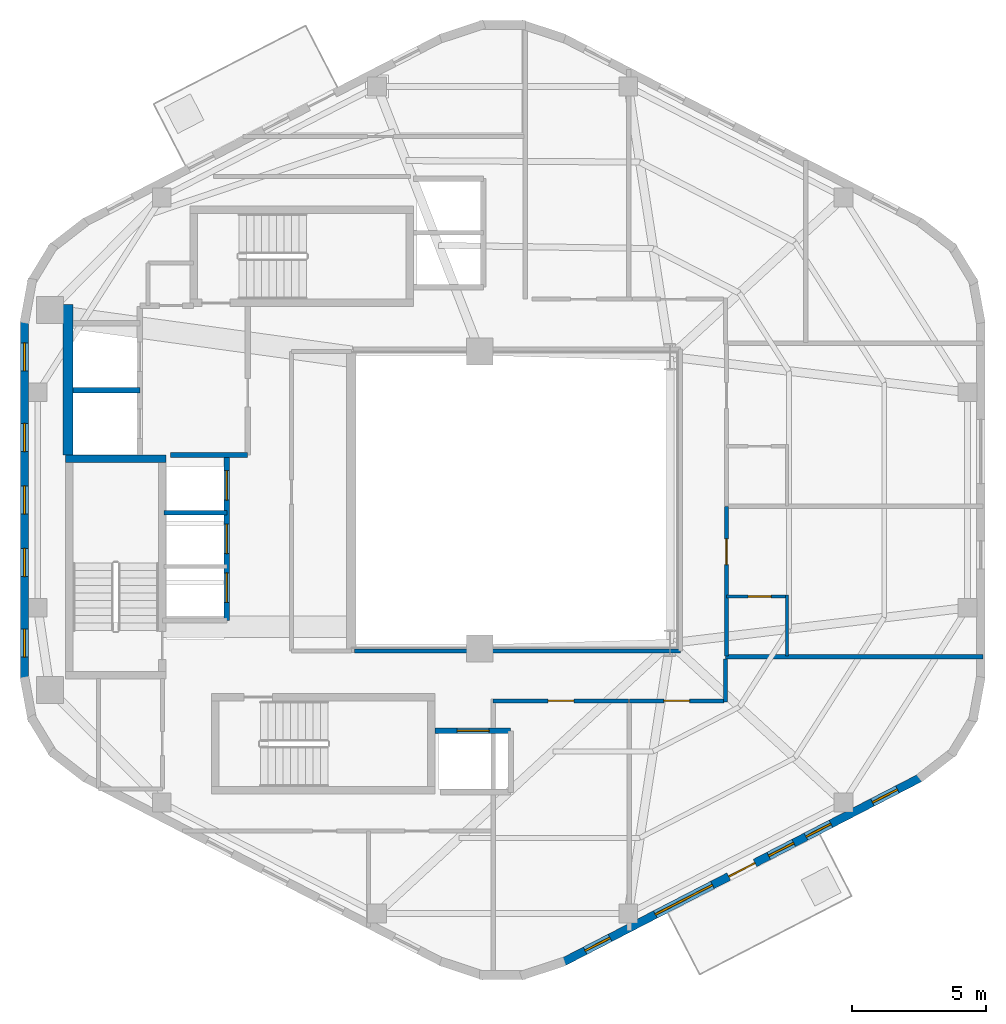
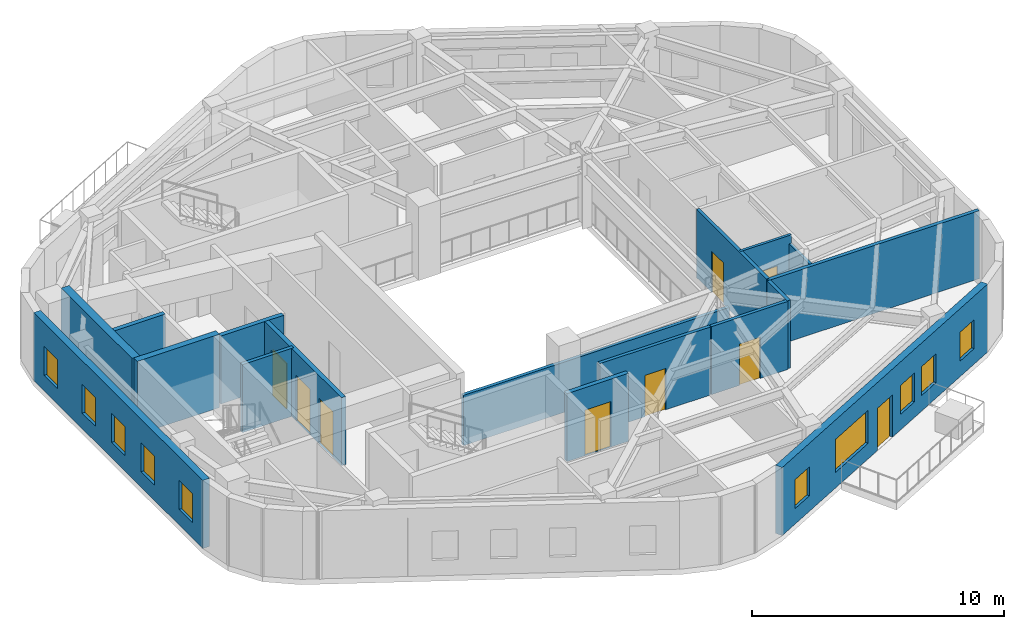
# One storey, part 3 of 7: 17 walls, 10 windows, 9 doors, 19 openings.
"""IFC4 building model written with IfcOpenShell, lengths in metres."""

from ifc_helpers import new_model, si_unit, direction, frame, frame_2d, origin, place, context, subcontext, project, spatial, rectangle, extrude, material, layer, layer_set, type_object, element, fill, save


model = new_model("IFC4")

# Units and contexts
model_context = context("Model", 3, precision=1e-05, world=origin(), true_north=direction((0.0, 1.0)))
body_context = subcontext(model_context, "Body", "Model", "MODEL_VIEW")
ifc_project = project(units=[si_unit("LENGTHUNIT", "METRE"), si_unit("AREAUNIT", "SQUARE_METRE"), si_unit("VOLUMEUNIT", "CUBIC_METRE"), si_unit("PLANEANGLEUNIT", "RADIAN"), si_unit("MASSUNIT", "GRAM", prefix="KILO"), si_unit("THERMODYNAMICTEMPERATUREUNIT", "KELVIN"), si_unit("POWERUNIT", "WATT")], contexts=[model_context])

# Site, building, storey
site_placement = place(None, origin())
site = spatial("IfcSite", under=ifc_project, at=site_placement, CompositionType="ELEMENT")
building_placement = place(site_placement, origin())
building = spatial("IfcBuilding", under=site, at=building_placement, Name="Skarre Station Tower", CompositionType="ELEMENT")
storey_placement = place(building_placement, frame((0.0, 0.0, 249.0)))
storey = spatial("IfcBuildingStorey", under=building, at=storey_placement, Name="L68", CompositionType="ELEMENT", Elevation=249.0)

# Wall
ifc_material_1 = material(Name="Acoustic Steel-Stud Gypsum Partition", Category="steel")
ifc_layer_1 = layer(ifc_material_1, 0.14990234375, Name="Acoustic Steel-Stud Gypsum Partition")
ifc_layer_set_1 = layer_set([ifc_layer_1], Name="Acoustic Steel-Stud Gypsum Partition")
wall_type_1 = type_object("IfcWallType", Name="Fire-Rated Corridor Acoustic Partition 150", PredefinedType="PARTITIONING", material=ifc_layer_set_1)
wall_1_placement = place(storey_placement, frame((27.675048828125, 18.360107421875, 0.0), z_axis=(0.0, 0.0, 1.0), x_axis=(1.0, 0.0, 0.0)))
element("IfcWall", 1, at=wall_1_placement, inside=storey, type_object=wall_type_1, Name="L68 Interior Partition WL-PT-L68-ATRW-S", PredefinedType="PARTITIONING", context=body_context, shape_type="SweptSolid", body=[
    extrude(rectangle(XDim=12.1650390625, YDim=0.14990234375, at=frame_2d((6.08251953125, 0.0))), origin(), (0.0, 0.0, 1.0), 2.430908203125),
])

# Wall, opening, door
wall_2_placement = place(storey_placement, frame((41.56005859375, 18.179931640625, 0.0), z_axis=(0.0, 0.0, 1.0), x_axis=(0.0, 1.0, 0.0)))
wall_2 = element("IfcWall", 2, at=wall_2_placement, inside=storey, type_object=wall_type_1, Name="L68 Interior Partition WL-PT-L68-EW1-CW", PredefinedType="PARTITIONING", context=body_context, shape_type="SweptSolid", body=[
    extrude(rectangle(XDim=5.569091796875, YDim=0.14990234375, at=frame_2d((2.78466796875, 0.0))), origin(), (0.0, 0.0, 1.0), 3.2900390625),
])
opening_1_placement = place(wall_2_placement, frame((3.405029296875, 0.0, 0.0)))
opening_1 = element("IfcOpeningElement", 3, at=opening_1_placement, cuts=wall_2, Name="Opening DR-FD60", PredefinedType="OPENING", context=body_context, shape_type="SweptSolid", body=[
    extrude(rectangle(XDim=0.9599609375, YDim=2.0, at=frame_2d((0.47998046875, 1.0))), frame((0.0, 0.0849609375, 0.0), z_axis=(0.0, -1.0, 0.0), x_axis=(1.0, 0.0, 0.0)), (0.0, 0.0, 1.0), 0.169921875),
])
ifc_material_2 = material(Name="Nordic White-Oak Veneer Solid-Core Fire Leaf", Category="wood")
door_type_1 = type_object("IfcDoorType", Name="Corridor Suite Entry Fire Door FD60 960x2150", OperationType="SINGLE_SWING_LEFT", PredefinedType="DOOR", material=ifc_material_2)
door_1_placement = place(opening_1_placement, origin())
door_1 = element("IfcDoor", 4, at=door_1_placement, inside=storey, type_object=door_type_1, Name="L68 EW1 Entry Door", OperationType="SINGLE_SWING_LEFT", OverallHeight=2.0, OverallWidth=0.9599609375, PredefinedType="DOOR", context=body_context, shape_type="SweptSolid", body=[
    extrude(rectangle(XDim=0.9599609375, YDim=2.0, at=frame_2d((0.47998046875, 1.0))), frame((0.0, 0.02490234375, 0.0), z_axis=(0.0, -1.0, 0.0), x_axis=(1.0, 0.0, 0.0)), (0.0, 0.0, 1.0), 0.050048828125),
])
fill(opening_1, door_1)

# Wall
wall_3_placement = place(storey_placement, frame((41.52001953125, 16.4599609375, 0.0), z_axis=(0.0, 0.0, 1.0), x_axis=(0.0, 1.0, 0.0)))
element("IfcWall", 5, at=wall_3_placement, inside=storey, type_object=wall_type_1, Name="L68 Interior Partition WL-PT-L68-CORR-SER", PredefinedType="PARTITIONING", context=body_context, shape_type="SweptSolid", body=[
    extrude(rectangle(XDim=1.60205078125, YDim=0.14990234375, at=frame_2d((0.801025390625, 0.0))), origin(), (0.0, 0.0, 1.0), 3.2900390625),
])

# Wall, opening, door
wall_4_placement = place(storey_placement, frame((32.85009765625, 16.5, 0.0), z_axis=(0.0, 0.0, 1.0), x_axis=(1.0, 0.0, 0.0)))
wall_4 = element("IfcWall", 6, at=wall_4_placement, inside=storey, type_object=wall_type_1, Name="L68 Interior Partition WL-PT-L68-SW1-CW", PredefinedType="PARTITIONING", context=body_context, shape_type="SweptSolid", body=[
    extrude(rectangle(XDim=5.060791015625, YDim=0.14990234375, at=frame_2d((2.5302734375, 0.0))), origin(), (0.0, 0.0, 1.0), 3.2900390625),
])
opening_2_placement = place(wall_4_placement, frame((2.051025390625, 0.0, 0.0)))
opening_2 = element("IfcOpeningElement", 7, at=opening_2_placement, cuts=wall_4, Name="Opening DR-FD60", PredefinedType="OPENING", context=body_context, shape_type="SweptSolid", body=[
    extrude(rectangle(XDim=0.9599609375, YDim=2.0, at=frame_2d((0.47998046875, 1.0))), frame((0.0, 0.0849609375, 0.0), z_axis=(0.0, -1.0, 0.0), x_axis=(1.0, 0.0, 0.0)), (0.0, 0.0, 1.0), 0.169921875),
])
door_2_placement = place(opening_2_placement, origin())
door_2 = element("IfcDoor", 8, at=door_2_placement, inside=storey, type_object=door_type_1, Name="L68 SW1 Entry Door", OperationType="SINGLE_SWING_LEFT", OverallHeight=2.0, OverallWidth=0.9599609375, PredefinedType="DOOR", context=body_context, shape_type="SweptSolid", body=[
    extrude(rectangle(XDim=0.9599609375, YDim=2.0, at=frame_2d((0.47998046875, 1.0))), frame((0.0, 0.02490234375, 0.0), z_axis=(0.0, -1.0, 0.0), x_axis=(1.0, 0.0, 0.0)), (0.0, 0.0, 1.0), 0.050048828125),
])
fill(opening_2, door_2)

wall_5_placement = place(storey_placement, frame((37.947021484375, 16.5, 0.0), z_axis=(0.0, 0.0, 1.0), x_axis=(1.0, 0.0, 0.0)))
wall_5 = element("IfcWall", 9, at=wall_5_placement, inside=storey, type_object=wall_type_1, Name="L68 Interior Partition WL-PT-L68-SW2-CW", PredefinedType="PARTITIONING", context=body_context, shape_type="SweptSolid", body=[
    extrude(rectangle(XDim=3.512939453125, YDim=0.14990234375, at=frame_2d((1.75634765625, 0.0))), origin(), (0.0, 0.0, 1.0), 3.2900390625),
])
opening_3_placement = place(wall_5_placement, frame((1.277099609375, 0.0, 0.0)))
opening_3 = element("IfcOpeningElement", 10, at=opening_3_placement, cuts=wall_5, Name="Opening DR-FD60", PredefinedType="OPENING", context=body_context, shape_type="SweptSolid", body=[
    extrude(rectangle(XDim=0.9599609375, YDim=2.0, at=frame_2d((0.47998046875, 1.0))), frame((0.0, 0.0849609375, 0.0), z_axis=(0.0, -1.0, 0.0), x_axis=(1.0, 0.0, 0.0)), (0.0, 0.0, 1.0), 0.169921875),
])
door_3_placement = place(opening_3_placement, origin())
door_3 = element("IfcDoor", 11, at=door_3_placement, inside=storey, type_object=door_type_1, Name="L68 SW2 Entry Door", OperationType="SINGLE_SWING_LEFT", OverallHeight=2.0, OverallWidth=0.9599609375, PredefinedType="DOOR", context=body_context, shape_type="SweptSolid", body=[
    extrude(rectangle(XDim=0.9599609375, YDim=2.0, at=frame_2d((0.47998046875, 1.0))), frame((0.0, 0.02490234375, 0.0), z_axis=(0.0, -1.0, 0.0), x_axis=(1.0, 0.0, 0.0)), (0.0, 0.0, 1.0), 0.050048828125),
])
fill(opening_3, door_3)

# Wall
ifc_material_3 = material(Name="Insulated Timber-Stud Gypsum Partition", Category="wood")
ifc_layer_2 = layer(ifc_material_3, 0.1201171875, Name="Insulated Timber-Stud Gypsum Partition")
ifc_layer_set_2 = layer_set([ifc_layer_2], Name="Insulated Timber-Stud Gypsum Partition")
wall_type_2 = type_object("IfcWallType", Name="Internal Suite Acoustic Partition 120", PredefinedType="PARTITIONING", material=ifc_layer_set_2)
wall_6_placement = place(storey_placement, frame((43.820068359375, 18.179931640625, 0.0), z_axis=(0.0, 0.0, 1.0), x_axis=(0.0, 1.0, 0.0)))
element("IfcWall", 12, at=wall_6_placement, inside=storey, type_object=wall_type_2, Name="L68 Interior Partition WL-PT-L68-EW1-EW2", PredefinedType="PARTITIONING", context=body_context, shape_type="SweptSolid", body=[
    extrude(rectangle(XDim=2.280029296875, YDim=0.1201171875, at=frame_2d((1.14013671875, 0.0))), origin(), (0.0, 0.0, 1.0), 2.886962890625),
])

# Wall, opening, door
wall_7_placement = place(storey_placement, frame((43.8798828125, 20.39990234375, 0.0), z_axis=(0.0, 0.0, 1.0), x_axis=(-1.0, 0.0, 0.0)))
wall_7 = element("IfcWall", 13, at=wall_7_placement, inside=storey, type_object=wall_type_2, Name="L68 Interior Partition WL-PT-L68-EW1-EW3", PredefinedType="PARTITIONING", context=body_context, shape_type="SweptSolid", body=[
    extrude(rectangle(XDim=2.31982421875, YDim=0.1201171875, at=frame_2d((1.159912109375, 0.0))), origin(), (0.0, 0.0, 1.0), 3.2900390625),
])
opening_4_placement = place(wall_7_placement, frame((0.64990234375, 0.0, 0.0)))
opening_4 = element("IfcOpeningElement", 14, at=opening_4_placement, cuts=wall_7, Name="Opening DR-INT86", PredefinedType="OPENING", context=body_context, shape_type="SweptSolid", body=[
    extrude(rectangle(XDim=0.860107421875, YDim=2.0, at=frame_2d((0.43017578125, 1.0))), frame((0.0, 0.070068359375, 0.0), z_axis=(0.0, -1.0, 0.0), x_axis=(1.0, 0.0, 0.0)), (0.0, 0.0, 1.0), 0.14013671875),
])
ifc_material_4 = material(Name="Nordic Birch Acoustic Solid-Core Timber Leaf", Category="wood")
door_type_2 = type_object("IfcDoorType", Name="Internal En-Suite & Bedroom Door 860x2100", OperationType="SINGLE_SWING_LEFT", PredefinedType="DOOR", material=ifc_material_4)
door_4_placement = place(opening_4_placement, origin())
door_4 = element("IfcDoor", 15, at=door_4_placement, inside=storey, type_object=door_type_2, Name="L68 EW1 En-suite Door", OperationType="SINGLE_SWING_RIGHT", OverallHeight=2.0, OverallWidth=0.860107421875, PredefinedType="DOOR", context=body_context, shape_type="SweptSolid", body=[
    extrude(rectangle(XDim=0.860107421875, YDim=2.0, at=frame_2d((0.43017578125, 1.0))), frame((0.0, 0.02490234375, 0.0), z_axis=(0.0, -1.0, 0.0), x_axis=(1.0, 0.0, 0.0)), (0.0, 0.0, 1.0), 0.050048828125),
])
fill(opening_4, door_4)

# Wall, openings, windows
ifc_material_5 = material(Name="Precast concrete C45/55", Category="concrete")
ifc_layer_3 = layer(ifc_material_5, 0.31005859375, Name="Precast concrete C45/55")
ifc_layer_set_3 = layer_set([ifc_layer_3], Name="Precast concrete C45/55")
wall_type_3 = type_object("IfcWallType", Name="Nordic Upper-Zone Precast Facet Wall 310", PredefinedType="STANDARD", material=ifc_layer_set_3)
wall_8_placement = place(storey_placement, frame((15.342041015625, 17.298095703125, 0.0), z_axis=(0.0, 0.0, 1.0), x_axis=(0.0, 1.0, 0.0)))
wall_8 = element("IfcWall", 16, at=wall_8_placement, inside=storey, type_object=wall_type_3, Name="L68 Facet 2 Nordic Precast Masonry Wall", PredefinedType="STANDARD", context=body_context, shape_type="SweptSolid", body=[
    extrude(rectangle(XDim=13.40380859375, YDim=0.31005859375, at=frame_2d((6.701904296875, 0.0))), origin(), (0.0, 0.0, 1.0), 3.2900390625),
])
opening_5_placement = place(wall_8_placement, frame((0.8310546875, 0.0, 0.75)))
opening_5 = element("IfcOpeningElement", 17, at=opening_5_placement, cuts=wall_8, Name="Opening WN-SLT", PredefinedType="OPENING", context=body_context, shape_type="SweptSolid", body=[
    extrude(rectangle(XDim=1.050048828125, YDim=1.39990234375, at=frame_2d((0.52490234375, 0.699951171875))), frame((0.0, 0.1650390625, 0.0), z_axis=(0.0, -1.0, 0.0), x_axis=(1.0, 0.0, 0.0)), (0.0, 0.0, 1.0), 0.330078125),
])
opening_6_placement = place(wall_8_placement, frame((3.843017578125, 0.0, 0.75)))
opening_6 = element("IfcOpeningElement", 18, at=opening_6_placement, cuts=wall_8, Name="Opening WN-SLT", PredefinedType="OPENING", context=body_context, shape_type="SweptSolid", body=[
    extrude(rectangle(XDim=1.050048828125, YDim=1.39990234375, at=frame_2d((0.52490234375, 0.699951171875))), frame((0.0, 0.1650390625, 0.0), z_axis=(0.0, -1.0, 0.0), x_axis=(1.0, 0.0, 0.0)), (0.0, 0.0, 1.0), 0.330078125),
])
opening_7_placement = place(wall_8_placement, frame((6.177001953125, 0.0, 0.75)))
opening_7 = element("IfcOpeningElement", 19, at=opening_7_placement, cuts=wall_8, Name="Opening WN-SLT", PredefinedType="OPENING", context=body_context, shape_type="SweptSolid", body=[
    extrude(rectangle(XDim=1.050048828125, YDim=1.39990234375, at=frame_2d((0.52490234375, 0.699951171875))), frame((0.0, 0.1650390625, 0.0), z_axis=(0.0, -1.0, 0.0), x_axis=(1.0, 0.0, 0.0)), (0.0, 0.0, 1.0), 0.330078125),
])
opening_8_placement = place(wall_8_placement, frame((8.510986328125, 0.0, 0.75)))
opening_8 = element("IfcOpeningElement", 20, at=opening_8_placement, cuts=wall_8, Name="Opening WN-SLT", PredefinedType="OPENING", context=body_context, shape_type="SweptSolid", body=[
    extrude(rectangle(XDim=1.050048828125, YDim=1.39990234375, at=frame_2d((0.52490234375, 0.699951171875))), frame((0.0, 0.1650390625, 0.0), z_axis=(0.0, -1.0, 0.0), x_axis=(1.0, 0.0, 0.0)), (0.0, 0.0, 1.0), 0.330078125),
])
opening_9_placement = place(wall_8_placement, frame((11.52392578125, 0.0, 0.75)))
opening_9 = element("IfcOpeningElement", 21, at=opening_9_placement, cuts=wall_8, Name="Opening WN-SLT", PredefinedType="OPENING", context=body_context, shape_type="SweptSolid", body=[
    extrude(rectangle(XDim=1.050048828125, YDim=1.39990234375, at=frame_2d((0.52490234375, 0.699951171875))), frame((0.0, 0.1650390625, 0.0), z_axis=(0.0, -1.0, 0.0), x_axis=(1.0, 0.0, 0.0)), (0.0, 0.0, 1.0), 0.330078125),
])
ifc_material_6 = material(Name="Low-Iron Triple Glazing with Bronze Anodized Frame", Category="glass")
window_type_1 = type_object("IfcWindowType", Name="Nordic Corner Slot Window 1050x1400", PartitioningType="SINGLE_PANEL", PredefinedType="WINDOW", material=ifc_material_6)
window_1_placement = place(opening_5_placement, origin())
window_1 = element("IfcWindow", 22, at=window_1_placement, inside=storey, type_object=window_type_1, Name="L68 Facade Window WL-FAC-L68-F2-1", OverallHeight=1.39990234375, OverallWidth=1.050048828125, PartitioningType="SINGLE_PANEL", PredefinedType="WINDOW", context=body_context, shape_type="SweptSolid", body=[
    extrude(rectangle(XDim=1.050048828125, YDim=1.39990234375, at=frame_2d((0.52490234375, 0.699951171875))), frame((0.0, 0.030029296875, 0.0), z_axis=(0.0, -1.0, 0.0), x_axis=(1.0, 0.0, 0.0)), (0.0, 0.0, 1.0), 0.06005859375),
])
fill(opening_5, window_1)
window_2_placement = place(opening_6_placement, origin())
window_2 = element("IfcWindow", 23, at=window_2_placement, inside=storey, type_object=window_type_1, Name="L68 Facade Window WL-FAC-L68-F2-2", OverallHeight=1.39990234375, OverallWidth=1.050048828125, PartitioningType="SINGLE_PANEL", PredefinedType="WINDOW", context=body_context, shape_type="SweptSolid", body=[
    extrude(rectangle(XDim=1.050048828125, YDim=1.39990234375, at=frame_2d((0.52490234375, 0.699951171875))), frame((0.0, 0.030029296875, 0.0), z_axis=(0.0, -1.0, 0.0), x_axis=(1.0, 0.0, 0.0)), (0.0, 0.0, 1.0), 0.06005859375),
])
fill(opening_6, window_2)
window_3_placement = place(opening_7_placement, origin())
window_3 = element("IfcWindow", 24, at=window_3_placement, inside=storey, type_object=window_type_1, Name="L68 Facade Window WL-FAC-L68-F2-3", OverallHeight=1.39990234375, OverallWidth=1.050048828125, PartitioningType="SINGLE_PANEL", PredefinedType="WINDOW", context=body_context, shape_type="SweptSolid", body=[
    extrude(rectangle(XDim=1.050048828125, YDim=1.39990234375, at=frame_2d((0.52490234375, 0.699951171875))), frame((0.0, 0.030029296875, 0.0), z_axis=(0.0, -1.0, 0.0), x_axis=(1.0, 0.0, 0.0)), (0.0, 0.0, 1.0), 0.06005859375),
])
fill(opening_7, window_3)
window_4_placement = place(opening_8_placement, origin())
window_4 = element("IfcWindow", 25, at=window_4_placement, inside=storey, type_object=window_type_1, Name="L68 Facade Window WL-FAC-L68-F2-4", OverallHeight=1.39990234375, OverallWidth=1.050048828125, PartitioningType="SINGLE_PANEL", PredefinedType="WINDOW", context=body_context, shape_type="SweptSolid", body=[
    extrude(rectangle(XDim=1.050048828125, YDim=1.39990234375, at=frame_2d((0.52490234375, 0.699951171875))), frame((0.0, 0.030029296875, 0.0), z_axis=(0.0, -1.0, 0.0), x_axis=(1.0, 0.0, 0.0)), (0.0, 0.0, 1.0), 0.06005859375),
])
fill(opening_8, window_4)
window_5_placement = place(opening_9_placement, origin())
window_5 = element("IfcWindow", 26, at=window_5_placement, inside=storey, type_object=window_type_1, Name="L68 Facade Window WL-FAC-L68-F2-5", OverallHeight=1.39990234375, OverallWidth=1.050048828125, PartitioningType="SINGLE_PANEL", PredefinedType="WINDOW", context=body_context, shape_type="SweptSolid", body=[
    extrude(rectangle(XDim=1.050048828125, YDim=1.39990234375, at=frame_2d((0.52490234375, 0.699951171875))), frame((0.0, 0.030029296875, 0.0), z_axis=(0.0, -1.0, 0.0), x_axis=(1.0, 0.0, 0.0)), (0.0, 0.0, 1.0), 0.06005859375),
])
fill(opening_9, window_5)

# Wall, openings, windows, door
wall_9_placement = place(storey_placement, frame((48.833984375, 13.64599609375, 0.0), z_axis=(0.0, 0.0, 1.0), x_axis=(-0.888581481622, -0.458718814218, 0.0)))
wall_9 = element("IfcWall", 27, at=wall_9_placement, inside=storey, type_object=wall_type_3, Name="L68 Facet 4 Nordic Precast Masonry Wall", PredefinedType="STANDARD", context=body_context, shape_type="SweptSolid", body=[
    extrude(rectangle(XDim=15.076904296875, YDim=0.31005859375, at=frame_2d((7.53857421875, 0.0))), origin(), (0.0, 0.0, 1.0), 3.2900390625),
])
opening_10_placement = place(wall_9_placement, frame((6.988037109375, 0.0, 0.0)))
opening_10 = element("IfcOpeningElement", 28, at=opening_10_placement, cuts=wall_9, Name="Opening DR-BAL110", PredefinedType="OPENING", context=body_context, shape_type="SweptSolid", body=[
    extrude(rectangle(XDim=1.10009765625, YDim=2.0400390625, at=frame_2d((0.550048828125, 1.02001953125))), frame((0.0, 0.1650390625, 0.0), z_axis=(0.0, -1.0, 0.0), x_axis=(1.0, 0.0, 0.0)), (0.0, 0.0, 1.0), 0.330078125),
])
opening_11_placement = place(wall_9_placement, frame((0.998046875, 0.0, 0.75)))
opening_11 = element("IfcOpeningElement", 29, at=opening_11_placement, cuts=wall_9, Name="Opening WN-SLT", PredefinedType="OPENING", context=body_context, shape_type="SweptSolid", body=[
    extrude(rectangle(XDim=1.050048828125, YDim=1.39990234375, at=frame_2d((0.52490234375, 0.699951171875))), frame((0.0, 0.1650390625, 0.0), z_axis=(0.0, -1.0, 0.0), x_axis=(1.0, 0.0, 0.0)), (0.0, 0.0, 1.0), 0.330078125),
])
opening_12_placement = place(wall_9_placement, frame((3.7939453125, 0.0, 0.75)))
opening_12 = element("IfcOpeningElement", 30, at=opening_12_placement, cuts=wall_9, Name="Opening WN-SLT", PredefinedType="OPENING", context=body_context, shape_type="SweptSolid", body=[
    extrude(rectangle(XDim=1.050048828125, YDim=1.39990234375, at=frame_2d((0.52490234375, 0.699951171875))), frame((0.0, 0.1650390625, 0.0), z_axis=(0.0, -1.0, 0.0), x_axis=(1.0, 0.0, 0.0)), (0.0, 0.0, 1.0), 0.330078125),
])
opening_13_placement = place(wall_9_placement, frame((5.360107421875, 0.0, 0.75)))
opening_13 = element("IfcOpeningElement", 31, at=opening_13_placement, cuts=wall_9, Name="Opening WN-SLT", PredefinedType="OPENING", context=body_context, shape_type="SweptSolid", body=[
    extrude(rectangle(XDim=1.050048828125, YDim=1.39990234375, at=frame_2d((0.52490234375, 0.699951171875))), frame((0.0, 0.1650390625, 0.0), z_axis=(0.0, -1.0, 0.0), x_axis=(1.0, 0.0, 0.0)), (0.0, 0.0, 1.0), 0.330078125),
])
opening_14_placement = place(wall_9_placement, frame((8.77490234375, 0.0, 0.75)))
opening_14 = element("IfcOpeningElement", 32, at=opening_14_placement, cuts=wall_9, Name="Opening WN-Z4A", PredefinedType="OPENING", context=body_context, shape_type="SweptSolid", body=[
    extrude(rectangle(XDim=2.39990234375, YDim=1.60009765625, at=frame_2d((1.199951171875, 0.800048828125))), frame((0.0, 0.1650390625, 0.0), z_axis=(0.0, -1.0, 0.0), x_axis=(1.0, 0.0, 0.0)), (0.0, 0.0, 1.0), 0.330078125),
])
opening_15_placement = place(wall_9_placement, frame((13.077880859375, 0.0, 0.75)))
opening_15 = element("IfcOpeningElement", 33, at=opening_15_placement, cuts=wall_9, Name="Opening WN-SLT", PredefinedType="OPENING", context=body_context, shape_type="SweptSolid", body=[
    extrude(rectangle(XDim=1.050048828125, YDim=1.39990234375, at=frame_2d((0.52490234375, 0.699951171875))), frame((0.0, 0.1650390625, 0.0), z_axis=(0.0, -1.0, 0.0), x_axis=(1.0, 0.0, 0.0)), (0.0, 0.0, 1.0), 0.330078125),
])
window_6_placement = place(opening_11_placement, origin())
window_6 = element("IfcWindow", 34, at=window_6_placement, inside=storey, type_object=window_type_1, Name="L68 Facade Window WL-FAC-L68-F4-1", OverallHeight=1.39990234375, OverallWidth=1.050048828125, PartitioningType="SINGLE_PANEL", PredefinedType="WINDOW", context=body_context, shape_type="SweptSolid", body=[
    extrude(rectangle(XDim=1.050048828125, YDim=1.39990234375, at=frame_2d((0.52490234375, 0.699951171875))), frame((0.0, 0.030029296875, 0.0), z_axis=(0.0, -1.0, 0.0), x_axis=(1.0, 0.0, 0.0)), (0.0, 0.0, 1.0), 0.06005859375),
])
fill(opening_11, window_6)
window_7_placement = place(opening_12_placement, origin())
window_7 = element("IfcWindow", 35, at=window_7_placement, inside=storey, type_object=window_type_1, Name="L68 Facade Window WL-FAC-L68-F4-2", OverallHeight=1.39990234375, OverallWidth=1.050048828125, PartitioningType="SINGLE_PANEL", PredefinedType="WINDOW", context=body_context, shape_type="SweptSolid", body=[
    extrude(rectangle(XDim=1.050048828125, YDim=1.39990234375, at=frame_2d((0.52490234375, 0.699951171875))), frame((0.0, 0.030029296875, 0.0), z_axis=(0.0, -1.0, 0.0), x_axis=(1.0, 0.0, 0.0)), (0.0, 0.0, 1.0), 0.06005859375),
])
fill(opening_12, window_7)
window_8_placement = place(opening_13_placement, origin())
window_8 = element("IfcWindow", 36, at=window_8_placement, inside=storey, type_object=window_type_1, Name="L68 Facade Window WL-FAC-L68-F4-3", OverallHeight=1.39990234375, OverallWidth=1.050048828125, PartitioningType="SINGLE_PANEL", PredefinedType="WINDOW", context=body_context, shape_type="SweptSolid", body=[
    extrude(rectangle(XDim=1.050048828125, YDim=1.39990234375, at=frame_2d((0.52490234375, 0.699951171875))), frame((0.0, 0.030029296875, 0.0), z_axis=(0.0, -1.0, 0.0), x_axis=(1.0, 0.0, 0.0)), (0.0, 0.0, 1.0), 0.06005859375),
])
fill(opening_13, window_8)
window_9_placement = place(opening_15_placement, origin())
window_9 = element("IfcWindow", 37, at=window_9_placement, inside=storey, type_object=window_type_1, Name="L68 Facade Window WL-FAC-L68-F4-5", OverallHeight=1.39990234375, OverallWidth=1.050048828125, PartitioningType="SINGLE_PANEL", PredefinedType="WINDOW", context=body_context, shape_type="SweptSolid", body=[
    extrude(rectangle(XDim=1.050048828125, YDim=1.39990234375, at=frame_2d((0.52490234375, 0.699951171875))), frame((0.0, 0.030029296875, 0.0), z_axis=(0.0, -1.0, 0.0), x_axis=(1.0, 0.0, 0.0)), (0.0, 0.0, 1.0), 0.06005859375),
])
fill(opening_15, window_9)
window_type_2 = type_object("IfcWindowType", Name="Nordic Crown Panorama Window 2400x1600", PartitioningType="SINGLE_PANEL", PredefinedType="WINDOW", material=ifc_material_6)
window_10_placement = place(opening_14_placement, origin())
window_10 = element("IfcWindow", 38, at=window_10_placement, inside=storey, type_object=window_type_2, Name="L68 Facade Window WL-FAC-L68-F4-4", OverallHeight=1.60009765625, OverallWidth=2.39990234375, PartitioningType="SINGLE_PANEL", PredefinedType="WINDOW", context=body_context, shape_type="SweptSolid", body=[
    extrude(rectangle(XDim=2.39990234375, YDim=1.60009765625, at=frame_2d((1.199951171875, 0.800048828125))), frame((0.0, 0.030029296875, 0.0), z_axis=(0.0, -1.0, 0.0), x_axis=(1.0, 0.0, 0.0)), (0.0, 0.0, 1.0), 0.06005859375),
])
fill(opening_14, window_10)
ifc_material_7 = material(Name="Thermally Broken Aluminium & Triple Glazing", Category="aluminium")
door_type_3 = type_object("IfcDoorType", Name="Terrace & Tree-Balcony Glazed Door 1100x2200", OperationType="SINGLE_SWING_LEFT", PredefinedType="DOOR", material=ifc_material_7)
door_5_placement = place(opening_10_placement, origin())
door_5 = element("IfcDoor", 39, at=door_5_placement, inside=storey, type_object=door_type_3, Name="L68 TB-L68-F4 Tree-Balcony Glazed Door", OperationType="SINGLE_SWING_LEFT", OverallHeight=2.0400390625, OverallWidth=1.10009765625, PredefinedType="DOOR", context=body_context, shape_type="SweptSolid", body=[
    extrude(rectangle(XDim=1.10009765625, YDim=2.0400390625, at=frame_2d((0.550048828125, 1.02001953125))), frame((0.0, 0.02490234375, 0.0), z_axis=(0.0, -1.0, 0.0), x_axis=(1.0, 0.0, 0.0)), (0.0, 0.0, 1.0), 0.050048828125),
])
fill(opening_10, door_5)

# Walls
ifc_material_8 = material(Name="Concrete C50/60", Category="concrete")
ifc_layer_4 = layer(ifc_material_8, 0.280029296875, Name="Concrete C50/60")
ifc_layer_set_4 = layer_set([ifc_layer_4], Name="Concrete C50/60")
wall_type_4 = type_object("IfcWallType", Name="RC Core Shear Wall 280", PredefinedType="SHEAR", material=ifc_layer_set_4)
wall_10_placement = place(storey_placement, frame((20.6298828125, 25.5400390625, 0.0), z_axis=(0.0, 0.0, 1.0), x_axis=(-1.0, 0.0, 0.0)))
element("IfcWall", 40, at=wall_10_placement, inside=storey, type_object=wall_type_4, Name="L68 Stair ST-1 North Shear Wall", PredefinedType="SHEAR", context=body_context, shape_type="SweptSolid", body=[
    extrude(rectangle(XDim=3.759765625, YDim=0.280029296875, at=frame_2d((1.8798828125, 0.0))), origin(), (0.0, 0.0, 1.0), 3.550048828125),
])
ifc_layer_5 = layer(ifc_material_8, 0.360107421875, Name="Concrete C50/60")
ifc_layer_set_5 = layer_set([ifc_layer_5], Name="Concrete C50/60")
wall_type_5 = type_object("IfcWallType", Name="RC Core Shear Wall 360", PredefinedType="SHEAR", material=ifc_layer_set_5)
wall_11_placement = place(storey_placement, frame((16.969970703125, 25.679931640625, 0.0), z_axis=(0.0, 0.0, 1.0), x_axis=(0.0, 1.0, 0.0)))
element("IfcWall", 41, at=wall_11_placement, inside=storey, type_object=wall_type_5, Name="L68 Core West-North Shear Wall", PredefinedType="SHEAR", context=body_context, shape_type="SweptSolid", body=[
    extrude(rectangle(XDim=5.6201171875, YDim=0.360107421875, at=frame_2d((2.81005859375, 0.0))), origin(), (0.0, 0.0, 1.0), 3.550048828125),
])
ifc_material_9 = material(Name="Gypsum Concrete Shaft Assembly C30/37", Category="concrete")
ifc_layer_6 = layer(ifc_material_9, 0.199951171875, Name="Gypsum Concrete Shaft Assembly C30/37")
ifc_layer_set_6 = layer_set([ifc_layer_6], Name="Gypsum Concrete Shaft Assembly C30/37")
wall_type_6 = type_object("IfcWallType", Name="Shaft & Core Fire Partition 200", PredefinedType="PARTITIONING", material=ifc_layer_set_6)
wall_12_placement = place(storey_placement, frame((20.79296875, 25.679931640625, 0.0), z_axis=(0.0, 0.0, 1.0), x_axis=(1.0, 0.0, 0.0)))
element("IfcWall", 42, at=wall_12_placement, inside=storey, type_object=wall_type_6, Name="L68 Interior Partition WL-PT-L68-FSAE-S", PredefinedType="PARTITIONING", context=body_context, shape_type="SweptSolid", body=[
    extrude(rectangle(XDim=2.886962890625, YDim=0.199951171875, at=frame_2d((1.443359375, 0.0))), origin(), (0.0, 0.0, 1.0), 3.2900390625),
])
wall_13_placement = place(storey_placement, frame((17.14990234375, 28.10009765625, 0.0), z_axis=(0.0, 0.0, 1.0), x_axis=(1.0, 0.0, 0.0)))
element("IfcWall", 43, at=wall_13_placement, inside=storey, type_object=wall_type_6, Name="L68 Interior Partition WL-PT-L68-FF-DIV", PredefinedType="PARTITIONING", context=body_context, shape_type="SweptSolid", body=[
    extrude(rectangle(XDim=2.5, YDim=0.199951171875, at=frame_2d((1.25, 0.0))), origin(), (0.0, 0.0, 1.0), 3.2900390625),
])

# Wall, opening, door
wall_14_placement = place(storey_placement, frame((33.5, 15.3798828125, 0.0), z_axis=(0.0, 0.0, 1.0), x_axis=(-1.0, 0.0, 0.0)))
wall_14 = element("IfcWall", 44, at=wall_14_placement, inside=storey, type_object=wall_type_6, Name="L68 Interior Partition WL-PT-L68-SV1-N", PredefinedType="PARTITIONING", context=body_context, shape_type="SweptSolid", body=[
    extrude(rectangle(XDim=2.820068359375, YDim=0.199951171875, at=frame_2d((1.41015625, 0.0))), origin(), (0.0, 0.0, 1.0), 3.2900390625),
])
opening_16_placement = place(wall_14_placement, frame((0.800048828125, 0.0, 0.0)))
opening_16 = element("IfcOpeningElement", 45, at=opening_16_placement, cuts=wall_14, Name="Opening LD-SV1", PredefinedType="OPENING", context=body_context, shape_type="SweptSolid", body=[
    extrude(rectangle(XDim=1.199951171875, YDim=2.199951171875, at=frame_2d((0.60009765625, 1.10009765625))), frame((0.0, 0.10986328125, 0.0), z_axis=(0.0, -1.0, 0.0), x_axis=(1.0, 0.0, 0.0)), (0.0, 0.0, 1.0), 0.219970703125),
])
ifc_material_10 = material(Name="Heavy-Gauge Brushed Stainless Steel Sliding Leaves", Category="steel")
door_type_4 = type_object("IfcDoorType", Name="Service Elevator Wide Sliding Landing Door 1200x2200", OperationType="SLIDING_TO_RIGHT", PredefinedType="DOOR", material=ifc_material_10)
door_6_placement = place(opening_16_placement, origin())
door_6 = element("IfcDoor", 46, at=door_6_placement, inside=storey, type_object=door_type_4, Name="L68 Service Lift LF-SV1 Landing Door", OperationType="SLIDING_TO_RIGHT", OverallHeight=2.199951171875, OverallWidth=1.199951171875, PredefinedType="DOOR", context=body_context, shape_type="SweptSolid", body=[
    extrude(rectangle(XDim=1.199951171875, YDim=2.199951171875, at=frame_2d((0.60009765625, 1.10009765625))), frame((0.0, 0.02490234375, 0.0), z_axis=(0.0, -1.0, 0.0), x_axis=(1.0, 0.0, 0.0)), (0.0, 0.0, 1.0), 0.050048828125),
])
fill(opening_16, door_6)

# Wall, openings, doors
wall_15_placement = place(storey_placement, frame((22.89990234375, 19.5, 0.0), z_axis=(0.0, 0.0, 1.0), x_axis=(0.0, 1.0, 0.0)))
wall_15 = element("IfcWall", 47, at=wall_15_placement, inside=storey, type_object=wall_type_6, Name="L68 Interior Partition WL-PT-L68-B3-E", PredefinedType="PARTITIONING", context=body_context, shape_type="SweptSolid", body=[
    extrude(rectangle(XDim=6.0849609375, YDim=0.199951171875, at=frame_2d((3.04248046875, 0.0))), origin(), (0.0, 0.0, 1.0), 3.2900390625),
])
opening_17_placement = place(wall_15_placement, frame((0.679931640625, 0.0, 0.0)))
opening_17 = element("IfcOpeningElement", 48, at=opening_17_placement, cuts=wall_15, Name="Opening LD-P7", PredefinedType="OPENING", context=body_context, shape_type="SweptSolid", body=[
    extrude(rectangle(XDim=1.10009765625, YDim=2.199951171875, at=frame_2d((0.550048828125, 1.10009765625))), frame((0.0, 0.10986328125, 0.0), z_axis=(0.0, -1.0, 0.0), x_axis=(1.0, 0.0, 0.0)), (0.0, 0.0, 1.0), 0.219970703125),
])
opening_18_placement = place(wall_15_placement, frame((2.5, 0.0, 0.0)))
opening_18 = element("IfcOpeningElement", 49, at=opening_18_placement, cuts=wall_15, Name="Opening LD-P8", PredefinedType="OPENING", context=body_context, shape_type="SweptSolid", body=[
    extrude(rectangle(XDim=1.10009765625, YDim=2.199951171875, at=frame_2d((0.550048828125, 1.10009765625))), frame((0.0, 0.10986328125, 0.0), z_axis=(0.0, -1.0, 0.0), x_axis=(1.0, 0.0, 0.0)), (0.0, 0.0, 1.0), 0.219970703125),
])
opening_19_placement = place(wall_15_placement, frame((4.5, 0.0, 0.0)))
opening_19 = element("IfcOpeningElement", 50, at=opening_19_placement, cuts=wall_15, Name="Opening LD-P9", PredefinedType="OPENING", context=body_context, shape_type="SweptSolid", body=[
    extrude(rectangle(XDim=1.10009765625, YDim=2.199951171875, at=frame_2d((0.550048828125, 1.10009765625))), frame((0.0, 0.10986328125, 0.0), z_axis=(0.0, -1.0, 0.0), x_axis=(1.0, 0.0, 0.0)), (0.0, 0.0, 1.0), 0.219970703125),
])
ifc_material_11 = material(Name="Brushed Bronze Stainless Steel Sliding Leaves", Category="steel")
door_type_5 = type_object("IfcDoorType", Name="Passenger Elevator Center-Parting Sliding Door 1100x2200", OperationType="SLIDING_TO_LEFT", PredefinedType="DOOR", material=ifc_material_11)
door_7_placement = place(opening_17_placement, origin())
door_7 = element("IfcDoor", 51, at=door_7_placement, inside=storey, type_object=door_type_5, Name="L68 Passenger Lift LF-P7 Landing Door", OperationType="SLIDING_TO_LEFT", OverallHeight=2.199951171875, OverallWidth=1.10009765625, PredefinedType="DOOR", context=body_context, shape_type="SweptSolid", body=[
    extrude(rectangle(XDim=1.10009765625, YDim=2.199951171875, at=frame_2d((0.550048828125, 1.10009765625))), frame((0.0, 0.02490234375, 0.0), z_axis=(0.0, -1.0, 0.0), x_axis=(1.0, 0.0, 0.0)), (0.0, 0.0, 1.0), 0.050048828125),
])
fill(opening_17, door_7)
door_8_placement = place(opening_18_placement, origin())
door_8 = element("IfcDoor", 52, at=door_8_placement, inside=storey, type_object=door_type_5, Name="L68 Passenger Lift LF-P8 Landing Door", OperationType="SLIDING_TO_LEFT", OverallHeight=2.199951171875, OverallWidth=1.10009765625, PredefinedType="DOOR", context=body_context, shape_type="SweptSolid", body=[
    extrude(rectangle(XDim=1.10009765625, YDim=2.199951171875, at=frame_2d((0.550048828125, 1.10009765625))), frame((0.0, 0.02490234375, 0.0), z_axis=(0.0, -1.0, 0.0), x_axis=(1.0, 0.0, 0.0)), (0.0, 0.0, 1.0), 0.050048828125),
])
fill(opening_18, door_8)
door_9_placement = place(opening_19_placement, origin())
door_9 = element("IfcDoor", 53, at=door_9_placement, inside=storey, type_object=door_type_5, Name="L68 Passenger Lift LF-P9 Landing Door", OperationType="SLIDING_TO_LEFT", OverallHeight=2.199951171875, OverallWidth=1.10009765625, PredefinedType="DOOR", context=body_context, shape_type="SweptSolid", body=[
    extrude(rectangle(XDim=1.10009765625, YDim=2.199951171875, at=frame_2d((0.550048828125, 1.10009765625))), frame((0.0, 0.02490234375, 0.0), z_axis=(0.0, -1.0, 0.0), x_axis=(1.0, 0.0, 0.0)), (0.0, 0.0, 1.0), 0.050048828125),
])
fill(opening_19, door_9)

# Walls
wall_16_placement = place(storey_placement, frame((20.550048828125, 23.52001953125, 0.0), z_axis=(0.0, 0.0, 1.0), x_axis=(1.0, 0.0, 0.0)))
element("IfcWall", 54, at=wall_16_placement, inside=storey, type_object=wall_type_6, Name="L68 Interior Partition WL-PT-L68-B3-D2", PredefinedType="PARTITIONING", context=body_context, shape_type="SweptSolid", body=[
    extrude(rectangle(XDim=2.349853515625, YDim=0.159912109375, at=frame_2d((1.1748046875, 0.0))), origin(), (0.0, 0.0, 1.0), 3.2900390625),
])
ifc_layer_7 = layer(ifc_material_1, 0.1650390625, Name="Acoustic Steel-Stud Gypsum Partition")
ifc_layer_set_7 = layer_set([ifc_layer_7], Name="Acoustic Steel-Stud Gypsum Partition")
wall_type_7 = type_object("IfcWallType", Name="Suite Demising Acoustic Partition 165", PredefinedType="PARTITIONING", material=ifc_layer_set_7)
wall_17_placement = place(storey_placement, frame((41.52001953125, 18.139892578125, 0.0), z_axis=(0.0, 0.0, 1.0), x_axis=(1.0, 0.0, 0.0)))
element("IfcWall", 55, at=wall_17_placement, inside=storey, type_object=wall_type_7, Name="L68 Interior Partition WL-PT-L68-EWB-S", PredefinedType="PARTITIONING", context=body_context, shape_type="SweptSolid", body=[
    extrude(rectangle(XDim=9.623046875, YDim=0.1650390625, at=frame_2d((4.8115234375, 0.0))), origin(), (0.0, 0.0, 1.0), 3.2900390625),
])

save(model, "model.ifc")
